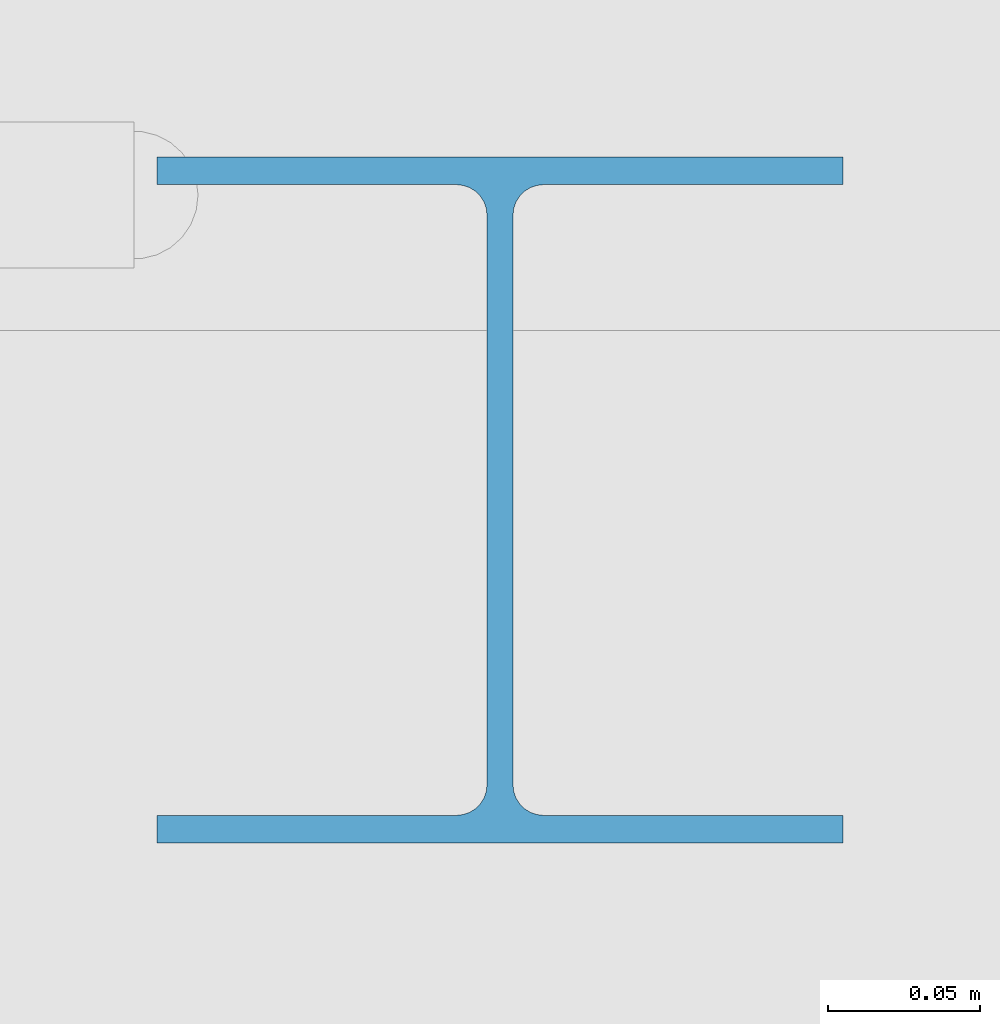
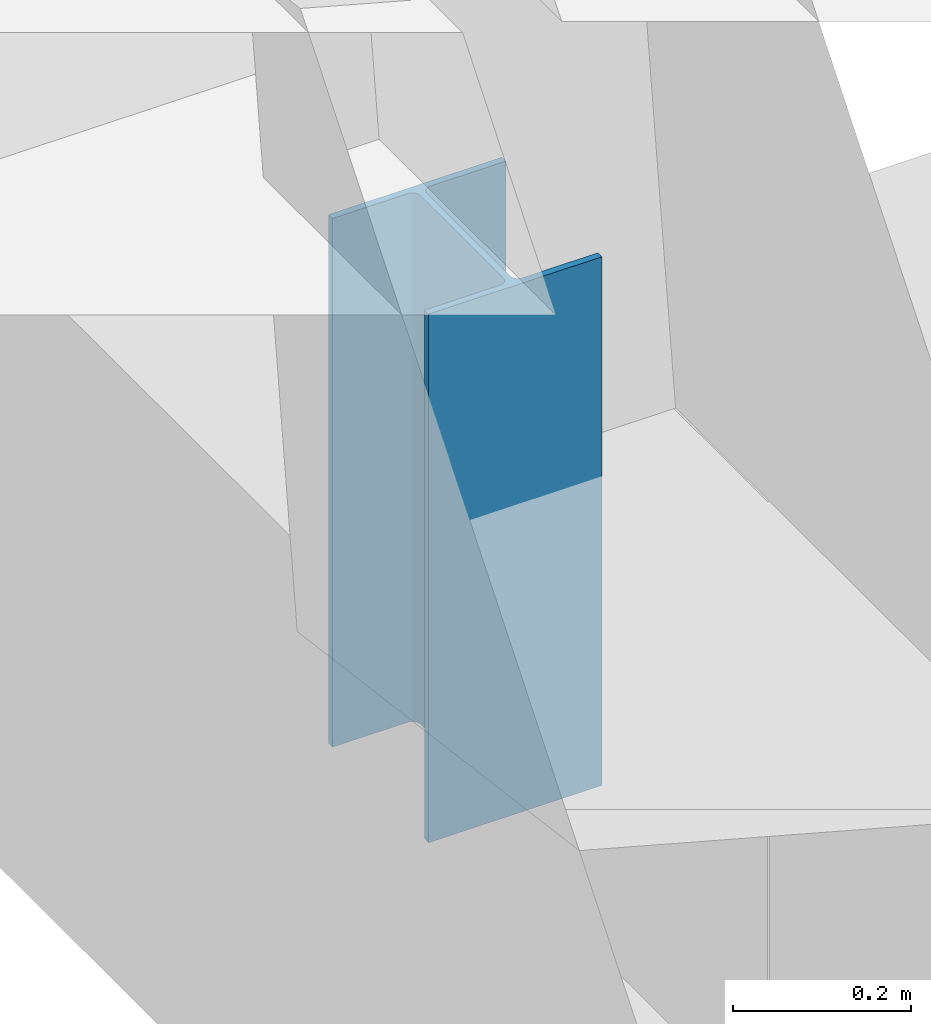
# One storey, part 60 of 102: 1 member.
"""IFC4 building model written with IfcOpenShell, lengths in metres."""

from ifc_helpers import new_model, si_unit, derived_unit, direction, frame, origin, origin_2d, place, context, subcontext, project, spatial, i_section, extrude, material, material_profile, profile_set, type_object, element, save


model = new_model("IFC4")

# Units and contexts
model_context = context("Model", 3, precision=1e-05, world=origin(), true_north=direction((0.0, 1.0)))
body_context = subcontext(model_context, "Body", "Model", "MODEL_VIEW")
ifc_project = project(units=[si_unit("LENGTHUNIT", "METRE"), si_unit("AREAUNIT", "SQUARE_METRE"), si_unit("VOLUMEUNIT", "CUBIC_METRE"), si_unit("PLANEANGLEUNIT", "RADIAN"), si_unit("MASSUNIT", "GRAM", prefix="KILO"), derived_unit("THERMALTRANSMITTANCEUNIT", [(si_unit("POWERUNIT", "WATT"), 1), (si_unit("LENGTHUNIT", "METRE"), -2), (si_unit("THERMODYNAMICTEMPERATUREUNIT", "KELVIN"), -1)])], contexts=[model_context])

# Site, building, storey
site_placement = place(None, origin())
site = spatial("IfcSite", under=ifc_project, at=site_placement, CompositionType="ELEMENT")
building_placement = place(site_placement, origin())
building = spatial("IfcBuilding", under=site, at=building_placement, Name="Nallur Shell Playhouse", CompositionType="ELEMENT")
storey_placement = place(building_placement, frame((0.0, 0.0, 15.0)))
storey = spatial("IfcBuildingStorey", under=building, at=storey_placement, Name="L04", CompositionType="ELEMENT", Elevation=15.0)

# Member
ifc_material = material(Name="Steel E350", Category="steel")
ifc_material_profile = material_profile(ifc_material, i_section(OverallWidth=0.22509765625, OverallDepth=0.22509765625, WebThickness=0.008544921875, FlangeThickness=0.009033203125, FilletRadius=0.010009765625, at=origin_2d()), Name="ISHB 225")
ifc_profile_set = profile_set([ifc_material_profile], Name="Steel E350")
member_type = type_object("IfcMemberType", Name="MB-TR-POST", PredefinedType="POST", material=ifc_profile_set)
member_placement = place(storey_placement, frame((79.60009765625, 21.0, -1.139892578125), z_axis=(0.0, 0.0, 1.0), x_axis=(1.0, 0.0, 0.0)))
element("IfcMember", 1, at=member_placement, inside=storey, type_object=member_type, Name="Auditorium raker front post UPPER 1", PredefinedType="POST", context=body_context, shape_type="SweptSolid", body=[
    extrude(i_section(OverallWidth=0.22509765625, OverallDepth=0.22509765625, WebThickness=0.008544921875, FlangeThickness=0.009033203125, FilletRadius=0.010009765625, at=origin_2d()), origin(), (0.0, 0.0, 1.0), 0.724853515625),
])

save(model, "model.ifc")
